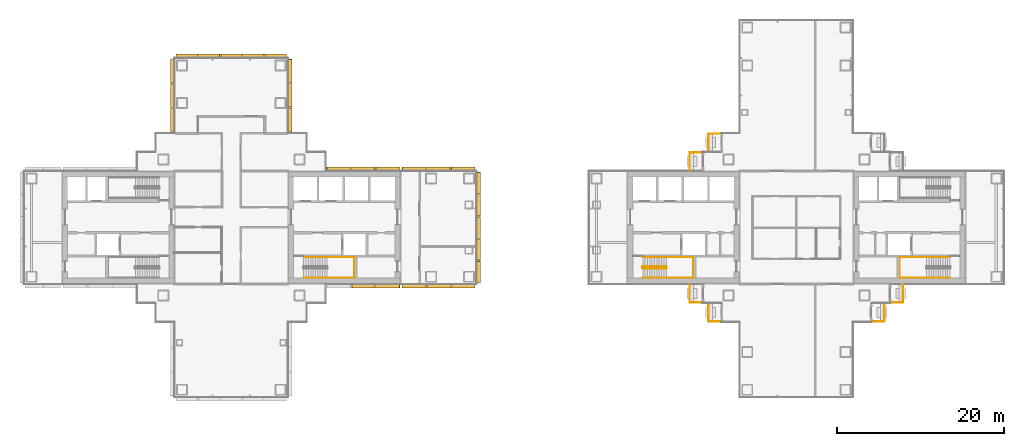
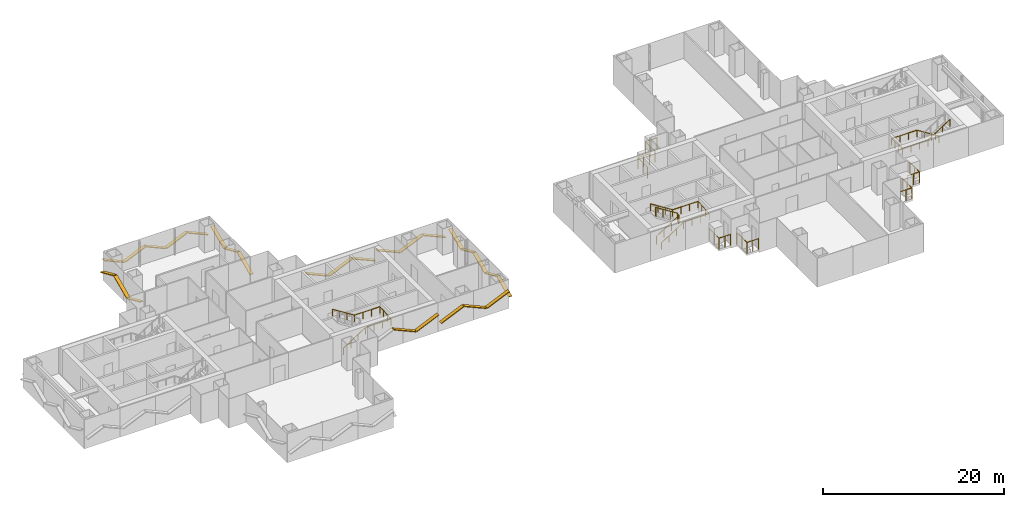
# One storey, part 17 of 19: 27 shading devices, 10 railings.
"""IFC4 building model written with IfcOpenShell, lengths in metres."""

from ifc_helpers import new_model, si_unit, direction, frame, origin, origin_2d, place, context, subcontext, project, spatial, rectangle, circle, extrude, material, material_profile, profile_set, type_object, element, save


model = new_model("IFC4")

# Units and contexts
model_context = context("Model", 3, precision=1e-05, world=origin(), true_north=direction((0.0, 1.0)))
body_context = subcontext(model_context, "Body", "Model", "MODEL_VIEW")
ifc_project = project(units=[si_unit("LENGTHUNIT", "METRE"), si_unit("AREAUNIT", "SQUARE_METRE"), si_unit("VOLUMEUNIT", "CUBIC_METRE"), si_unit("PLANEANGLEUNIT", "RADIAN"), si_unit("MASSUNIT", "GRAM", prefix="KILO")], contexts=[model_context])

# Site, building, storey
site_placement = place(None, origin())
site = spatial("IfcSite", under=ifc_project, at=site_placement, CompositionType="ELEMENT")
building_placement = place(site_placement, origin())
building = spatial("IfcBuilding", under=site, at=building_placement, Name="Shamsa Quay Exchange Towers", CompositionType="ELEMENT")
storey_placement = place(building_placement, frame((0.0, 0.0, 97.5)))
storey = spatial("IfcBuildingStorey", under=building, at=storey_placement, Name="L22", CompositionType="ELEMENT", Elevation=97.5)

# Railings
ifc_material_1 = material(Name="Steel S355, black powder-coated", Category="steel")
railing_type_1 = type_object("IfcRailingType", Name="BALCONY GUARD 1500", PredefinedType="GUARDRAIL", material=ifc_material_1)
for number, where, name in (
    (1, (24.72900390625, 11.199951171875, 0.0), "Balcony guard T2-PKEN L22"),
    (2, (22.47900390625, 8.949951171875, 0.0), "Balcony guard T2-PKEN L22"),
):
    element("IfcRailing", number, at=place(storey_placement, frame(where)), inside=storey, type_object=railing_type_1, Name=name, PredefinedType="GUARDRAIL", context=body_context, shape_type="SweptSolid", body=[
        extrude(circle(Radius=0.02392578125, at=origin_2d()), frame((0.0, 0.0, 1.47607421875), z_axis=(-1.0, 0.0, 0.0), x_axis=(0.0, -1.0, 0.0)), (0.0, 0.0, 1.0), 1.47900390625),
        extrude(circle(Radius=0.02392578125, at=origin_2d()), frame((-1.47900390625, 0.0, 1.47607421875), z_axis=(0.0, -1.0, 0.0), x_axis=(1.0, 0.0, 0.0)), (0.0, 0.0, 1.0), 2.161865234375),
        extrude(circle(Radius=0.02099609375, at=origin_2d()), origin(), (0.0, 0.0, 1.0), 1.451904296875),
        extrude(circle(Radius=0.02099609375, at=origin_2d()), frame((-0.739501953125, 0.0, 0.0)), (0.0, 0.0, 1.0), 1.451904296875),
        extrude(circle(Radius=0.02099609375, at=origin_2d()), frame((-1.47900390625, 0.0, 0.0)), (0.0, 0.0, 1.0), 1.451904296875),
        extrude(circle(Radius=0.02099609375, at=origin_2d()), frame((-1.47900390625, -1.0810546875, 0.0)), (0.0, 0.0, 1.0), 1.451904296875),
        extrude(circle(Radius=0.02099609375, at=origin_2d()), frame((-1.47900390625, -2.161865234375, 0.0)), (0.0, 0.0, 1.0), 1.451904296875),
    ])
for number, where, name in (
    (3, (21.0, -6.7880859375, 0.0), "Balcony guard T2-PKWN L22"),
    (4, (23.25, -9.0380859375, 0.0), "Balcony guard T2-PKWN L22"),
):
    element("IfcRailing", number, at=place(storey_placement, frame(where)), inside=storey, type_object=railing_type_1, Name=name, PredefinedType="GUARDRAIL", context=body_context, shape_type="SweptSolid", body=[
        extrude(circle(Radius=0.02392578125, at=origin_2d()), frame((0.0, 0.0, 1.47607421875), z_axis=(0.0, -1.0, 0.0), x_axis=(1.0, 0.0, 0.0)), (0.0, 0.0, 1.0), 2.161865234375),
        extrude(circle(Radius=0.02392578125, at=origin_2d()), frame((0.0, -2.161865234375, 1.47607421875), z_axis=(1.0, 0.0, 0.0), x_axis=(0.0, 1.0, 0.0)), (0.0, 0.0, 1.0), 1.47900390625),
        extrude(circle(Radius=0.02099609375, at=origin_2d()), origin(), (0.0, 0.0, 1.0), 1.451904296875),
        extrude(circle(Radius=0.02099609375, at=origin_2d()), frame((0.0, -1.0810546875, 0.0)), (0.0, 0.0, 1.0), 1.451904296875),
        extrude(circle(Radius=0.02099609375, at=origin_2d()), frame((0.0, -2.161865234375, 0.0)), (0.0, 0.0, 1.0), 1.451904296875),
        extrude(circle(Radius=0.02099609375, at=origin_2d()), frame((0.739501953125, -2.161865234375, 0.0)), (0.0, 0.0, 1.0), 1.451904296875),
        extrude(circle(Radius=0.02099609375, at=origin_2d()), frame((1.47900390625, -2.161865234375, 0.0)), (0.0, 0.0, 1.0), 1.451904296875),
    ])
for number, where, name in (
    (5, (42.77099609375, -11.199951171875, 0.0), "Balcony guard T2-PKWS L22"),
    (6, (45.02099609375, -8.949951171875, 0.0), "Balcony guard T2-PKWS L22"),
):
    element("IfcRailing", number, at=place(storey_placement, frame(where)), inside=storey, type_object=railing_type_1, Name=name, PredefinedType="GUARDRAIL", context=body_context, shape_type="SweptSolid", body=[
        extrude(circle(Radius=0.02392578125, at=origin_2d()), frame((0.0, 0.0, 1.47607421875), z_axis=(1.0, 0.0, 0.0), x_axis=(0.0, 1.0, 0.0)), (0.0, 0.0, 1.0), 1.47900390625),
        extrude(circle(Radius=0.02392578125, at=origin_2d()), frame((1.47900390625, 0.0, 1.47607421875), z_axis=(0.0, 1.0, 0.0), x_axis=(-1.0, 0.0, 0.0)), (0.0, 0.0, 1.0), 2.161865234375),
        extrude(circle(Radius=0.02099609375, at=origin_2d()), origin(), (0.0, 0.0, 1.0), 1.451904296875),
        extrude(circle(Radius=0.02099609375, at=origin_2d()), frame((0.739501953125, 0.0, 0.0)), (0.0, 0.0, 1.0), 1.451904296875),
        extrude(circle(Radius=0.02099609375, at=origin_2d()), frame((1.47900390625, 0.0, 0.0)), (0.0, 0.0, 1.0), 1.451904296875),
        extrude(circle(Radius=0.02099609375, at=origin_2d()), frame((1.47900390625, 1.0810546875, 0.0)), (0.0, 0.0, 1.0), 1.451904296875),
        extrude(circle(Radius=0.02099609375, at=origin_2d()), frame((1.47900390625, 2.161865234375, 0.0)), (0.0, 0.0, 1.0), 1.451904296875),
    ])

# Shading devices
ifc_material_2 = material(Name="Aluminium EN AW-6063 T6, black anodised", Category="aluminium")
ifc_material_profile = material_profile(ifc_material_2, rectangle(XDim=0.449951171875, YDim=0.10009765625, at=origin_2d()), Name="FIN450x100")
ifc_profile_set = profile_set([ifc_material_profile], Name="Aluminium EN AW-6063 T6, black anodised")
shading_device_type = type_object("IfcShadingDeviceType", Name="FIN 450x100 BLACK ALUMINIUM", PredefinedType="USERDEFINED", material=ifc_profile_set)
shading_device_1_placement = place(storey_placement, frame((-19.374755859375, -7.01904296875, 2.220458984375), z_axis=(0.913550687431, 0.0, -0.406724896576), x_axis=(0.0, 1.0, 0.0)))
element("IfcShadingDevice", 7, at=shading_device_1_placement, inside=storey, type_object=shading_device_type, Name="FIN T1 chevron rib", ObjectType="FIN", PredefinedType="USERDEFINED", context=body_context, shape_type="SweptSolid", body=[
    extrude(rectangle(XDim=0.449951171875, YDim=0.10009765625, at=origin_2d()), origin(), (0.0, 0.0, 1.0), 3.051025390625),
])
shading_device_2_placement = place(storey_placement, frame((-16.4873046875, -7.01904296875, 0.96826171875), z_axis=(0.913529328323, 0.0, 0.406772868187), x_axis=(0.0, 1.0, 0.0)))
element("IfcShadingDevice", 8, at=shading_device_2_placement, inside=storey, type_object=shading_device_type, Name="FIN T1 chevron rib", ObjectType="FIN", PredefinedType="USERDEFINED", context=body_context, shape_type="SweptSolid", body=[
    extrude(rectangle(XDim=0.449951171875, YDim=0.10009765625, at=origin_2d()), origin(), (0.0, 0.0, 1.0), 3.10595703125),
])
shading_device_3_placement = place(storey_placement, frame((-13.35009765625, -7.014892578125, 0.965576171875), z_axis=(0.913562893981, 0.0, 0.406697478158), x_axis=(0.0, 1.0, 0.0)))
element("IfcShadingDevice", 9, at=shading_device_3_placement, inside=storey, type_object=shading_device_type, Name="FIN T1 chevron rib", ObjectType="FIN", PredefinedType="USERDEFINED", context=body_context, shape_type="SweptSolid", body=[
    extrude(rectangle(XDim=0.449951171875, YDim=0.10009765625, at=origin_2d()), origin(), (0.0, 0.0, 1.0), 3.119873046875),
])
shading_device_4_placement = place(storey_placement, frame((-10.39990234375, -7.014892578125, 2.223388671875), z_axis=(0.913512380128, 0.0, -0.406810928262), x_axis=(0.0, 1.0, 0.0)))
element("IfcShadingDevice", 10, at=shading_device_4_placement, inside=storey, type_object=shading_device_type, Name="FIN T1 chevron rib", ObjectType="FIN", PredefinedType="USERDEFINED", context=body_context, shape_type="SweptSolid", body=[
    extrude(rectangle(XDim=0.449951171875, YDim=0.10009765625, at=origin_2d()), origin(), (0.0, 0.0, 1.0), 3.06494140625),
])
shading_device_5_placement = place(storey_placement, frame((-7.5, -7.014892578125, 0.965576171875), z_axis=(0.913562893981, 0.0, 0.406697478158), x_axis=(0.0, 1.0, 0.0)))
element("IfcShadingDevice", 11, at=shading_device_5_placement, inside=storey, type_object=shading_device_type, Name="FIN T1 chevron rib", ObjectType="FIN", PredefinedType="USERDEFINED", context=body_context, shape_type="SweptSolid", body=[
    extrude(rectangle(XDim=0.449951171875, YDim=0.10009765625, at=origin_2d()), origin(), (0.0, 0.0, 1.0), 3.119873046875),
])
shading_device_6_placement = place(storey_placement, frame((-4.235107421875, -6.60009765625, 1.0234375), z_axis=(0.0, 0.91355925163, 0.406705659859), x_axis=(-1.0, 0.0, 0.0)))
element("IfcShadingDevice", 12, at=shading_device_6_placement, inside=storey, type_object=shading_device_type, Name="FIN T1 chevron rib", ObjectType="FIN", PredefinedType="USERDEFINED", context=body_context, shape_type="SweptSolid", body=[
    extrude(rectangle(XDim=0.449951171875, YDim=0.10009765625, at=origin_2d()), origin(), (0.0, 0.0, 1.0), 2.835205078125),
])
shading_device_7_placement = place(storey_placement, frame((-4.235107421875, -3.909912109375, 2.16552734375), z_axis=(0.0, 0.913536125794, -0.406757602103), x_axis=(-1.0, 0.0, 0.0)))
element("IfcShadingDevice", 13, at=shading_device_7_placement, inside=storey, type_object=shading_device_type, Name="FIN T1 chevron rib", ObjectType="FIN", PredefinedType="USERDEFINED", context=body_context, shape_type="SweptSolid", body=[
    extrude(rectangle(XDim=0.449951171875, YDim=0.10009765625, at=origin_2d()), origin(), (0.0, 0.0, 1.0), 2.7802734375),
])
shading_device_8_placement = place(storey_placement, frame((-4.235107421875, -1.27001953125, 1.03466796875), z_axis=(0.0, 0.913550653139, 0.4067249736), x_axis=(-1.0, 0.0, 0.0)))
element("IfcShadingDevice", 14, at=shading_device_8_placement, inside=storey, type_object=shading_device_type, Name="FIN T1 chevron rib", ObjectType="FIN", PredefinedType="USERDEFINED", context=body_context, shape_type="SweptSolid", body=[
    extrude(rectangle(XDim=0.449951171875, YDim=0.10009765625, at=origin_2d()), origin(), (0.0, 0.0, 1.0), 2.780517578125),
])
shading_device_9_placement = place(storey_placement, frame((-4.235107421875, 1.3701171875, 2.16552734375), z_axis=(0.0, 0.913536125794, -0.406757602103), x_axis=(-1.0, 0.0, 0.0)))
element("IfcShadingDevice", 15, at=shading_device_9_placement, inside=storey, type_object=shading_device_type, Name="FIN T1 chevron rib", ObjectType="FIN", PredefinedType="USERDEFINED", context=body_context, shape_type="SweptSolid", body=[
    extrude(rectangle(XDim=0.449951171875, YDim=0.10009765625, at=origin_2d()), origin(), (0.0, 0.0, 1.0), 2.7802734375),
])
shading_device_10_placement = place(storey_placement, frame((-4.235107421875, 4.010009765625, 1.0234375), z_axis=(0.0, 0.91355925163, 0.406705659859), x_axis=(-1.0, 0.0, 0.0)))
element("IfcShadingDevice", 16, at=shading_device_10_placement, inside=storey, type_object=shading_device_type, Name="FIN T1 chevron rib", ObjectType="FIN", PredefinedType="USERDEFINED", context=body_context, shape_type="SweptSolid", body=[
    extrude(rectangle(XDim=0.449951171875, YDim=0.10009765625, at=origin_2d()), origin(), (0.0, 0.0, 1.0), 2.835205078125),
])
shading_device_11_placement = place(storey_placement, frame((-4.64990234375, 7.014892578125, 0.965576171875), z_axis=(-0.913562893981, 0.0, 0.406697478158), x_axis=(0.0, -1.0, 0.0)))
element("IfcShadingDevice", 17, at=shading_device_11_placement, inside=storey, type_object=shading_device_type, Name="FIN T1 chevron rib", ObjectType="FIN", PredefinedType="USERDEFINED", context=body_context, shape_type="SweptSolid", body=[
    extrude(rectangle(XDim=0.449951171875, YDim=0.10009765625, at=origin_2d()), origin(), (0.0, 0.0, 1.0), 3.119873046875),
])
shading_device_12_placement = place(storey_placement, frame((-7.60009765625, 7.014892578125, 2.223388671875), z_axis=(-0.913512380128, 0.0, -0.406810928262), x_axis=(0.0, -1.0, 0.0)))
element("IfcShadingDevice", 18, at=shading_device_12_placement, inside=storey, type_object=shading_device_type, Name="FIN T1 chevron rib", ObjectType="FIN", PredefinedType="USERDEFINED", context=body_context, shape_type="SweptSolid", body=[
    extrude(rectangle(XDim=0.449951171875, YDim=0.10009765625, at=origin_2d()), origin(), (0.0, 0.0, 1.0), 3.06494140625),
])
for number, where, z_axis, x_axis, name in (
    (19, (-10.5, 7.014892578125, 0.965576171875), (-0.913562893981, 0.0, 0.406697478158), (0.0, -1.0, 0.0), "FIN T1 chevron rib"),
    (20, (-13.64990234375, 7.01904296875, 0.965576171875), (-0.913562893981, 0.0, 0.406697478158), (0.0, -1.0, 0.0), "FIN T1 chevron rib"),
):
    element("IfcShadingDevice", number, at=place(storey_placement, frame(where, z_axis=z_axis, x_axis=x_axis)), inside=storey, type_object=shading_device_type, Name=name, ObjectType="FIN", PredefinedType="USERDEFINED", context=body_context, shape_type="SweptSolid", body=[
        extrude(rectangle(XDim=0.449951171875, YDim=0.10009765625, at=origin_2d()), origin(), (0.0, 0.0, 1.0), 3.119873046875),
    ])
shading_device_13_placement = place(storey_placement, frame((-16.60009765625, 7.01904296875, 2.223388671875), z_axis=(-0.913512380128, 0.0, -0.406810928262), x_axis=(0.0, -1.0, 0.0)))
element("IfcShadingDevice", 21, at=shading_device_13_placement, inside=storey, type_object=shading_device_type, Name="FIN T1 chevron rib", ObjectType="FIN", PredefinedType="USERDEFINED", context=body_context, shape_type="SweptSolid", body=[
    extrude(rectangle(XDim=0.449951171875, YDim=0.10009765625, at=origin_2d()), origin(), (0.0, 0.0, 1.0), 3.06494140625),
])
shading_device_14_placement = place(storey_placement, frame((-19.5, 7.01904296875, 0.965576171875), z_axis=(-0.913562893981, 0.0, 0.406697478158), x_axis=(0.0, -1.0, 0.0)))
element("IfcShadingDevice", 22, at=shading_device_14_placement, inside=storey, type_object=shading_device_type, Name="FIN T1 chevron rib", ObjectType="FIN", PredefinedType="USERDEFINED", context=body_context, shape_type="SweptSolid", body=[
    extrude(rectangle(XDim=0.449951171875, YDim=0.10009765625, at=origin_2d()), origin(), (0.0, 0.0, 1.0), 3.119873046875),
])
shading_device_15_placement = place(storey_placement, frame((-26.735107421875, 11.43798828125, 0.96826171875), z_axis=(0.0, 0.913529328323, 0.406772868187), x_axis=(-1.0, 0.0, 0.0)))
element("IfcShadingDevice", 23, at=shading_device_15_placement, inside=storey, type_object=shading_device_type, Name="FIN T1 chevron rib", ObjectType="FIN", PredefinedType="USERDEFINED", context=body_context, shape_type="SweptSolid", body=[
    extrude(rectangle(XDim=0.449951171875, YDim=0.10009765625, at=origin_2d()), origin(), (0.0, 0.0, 1.0), 3.10595703125),
])
shading_device_16_placement = place(storey_placement, frame((-26.735107421875, 14.375244140625, 2.220458984375), z_axis=(0.0, 0.913550687431, -0.406724896576), x_axis=(-1.0, 0.0, 0.0)))
element("IfcShadingDevice", 24, at=shading_device_16_placement, inside=storey, type_object=shading_device_type, Name="FIN T1 chevron rib", ObjectType="FIN", PredefinedType="USERDEFINED", context=body_context, shape_type="SweptSolid", body=[
    extrude(rectangle(XDim=0.449951171875, YDim=0.10009765625, at=origin_2d()), origin(), (0.0, 0.0, 1.0), 3.051025390625),
])
shading_device_17_placement = place(storey_placement, frame((-26.735107421875, 17.2626953125, 0.96826171875), z_axis=(0.0, 0.913529328323, 0.406772868187), x_axis=(-1.0, 0.0, 0.0)))
element("IfcShadingDevice", 25, at=shading_device_17_placement, inside=storey, type_object=shading_device_type, Name="FIN T1 chevron rib", ObjectType="FIN", PredefinedType="USERDEFINED", context=body_context, shape_type="SweptSolid", body=[
    extrude(rectangle(XDim=0.449951171875, YDim=0.10009765625, at=origin_2d()), origin(), (0.0, 0.0, 1.0), 3.10595703125),
])
shading_device_18_placement = place(storey_placement, frame((-27.14990234375, 20.514892578125, 1.0234375), z_axis=(-0.91355925163, 0.0, 0.406705659859), x_axis=(0.0, -1.0, 0.0)))
element("IfcShadingDevice", 26, at=shading_device_18_placement, inside=storey, type_object=shading_device_type, Name="FIN T1 chevron rib", ObjectType="FIN", PredefinedType="USERDEFINED", context=body_context, shape_type="SweptSolid", body=[
    extrude(rectangle(XDim=0.449951171875, YDim=0.10009765625, at=origin_2d()), origin(), (0.0, 0.0, 1.0), 2.835205078125),
])
shading_device_19_placement = place(storey_placement, frame((-29.840087890625, 20.514892578125, 2.16552734375), z_axis=(-0.913536125794, 0.0, -0.406757602103), x_axis=(0.0, -1.0, 0.0)))
element("IfcShadingDevice", 27, at=shading_device_19_placement, inside=storey, type_object=shading_device_type, Name="FIN T1 chevron rib", ObjectType="FIN", PredefinedType="USERDEFINED", context=body_context, shape_type="SweptSolid", body=[
    extrude(rectangle(XDim=0.449951171875, YDim=0.10009765625, at=origin_2d()), origin(), (0.0, 0.0, 1.0), 2.7802734375),
])
shading_device_20_placement = place(storey_placement, frame((-32.47998046875, 20.514892578125, 1.03466796875), z_axis=(-0.913550653139, 0.0, 0.4067249736), x_axis=(0.0, -1.0, 0.0)))
element("IfcShadingDevice", 28, at=shading_device_20_placement, inside=storey, type_object=shading_device_type, Name="FIN T1 chevron rib", ObjectType="FIN", PredefinedType="USERDEFINED", context=body_context, shape_type="SweptSolid", body=[
    extrude(rectangle(XDim=0.449951171875, YDim=0.10009765625, at=origin_2d()), origin(), (0.0, 0.0, 1.0), 2.780517578125),
])
shading_device_21_placement = place(storey_placement, frame((-35.1201171875, 20.514892578125, 2.16552734375), z_axis=(-0.913536125794, 0.0, -0.406757602103), x_axis=(0.0, -1.0, 0.0)))
element("IfcShadingDevice", 29, at=shading_device_21_placement, inside=storey, type_object=shading_device_type, Name="FIN T1 chevron rib", ObjectType="FIN", PredefinedType="USERDEFINED", context=body_context, shape_type="SweptSolid", body=[
    extrude(rectangle(XDim=0.449951171875, YDim=0.10009765625, at=origin_2d()), origin(), (0.0, 0.0, 1.0), 2.7802734375),
])
shading_device_22_placement = place(storey_placement, frame((-37.760009765625, 20.514892578125, 1.0234375), z_axis=(-0.91355925163, 0.0, 0.406705659859), x_axis=(0.0, -1.0, 0.0)))
element("IfcShadingDevice", 30, at=shading_device_22_placement, inside=storey, type_object=shading_device_type, Name="FIN T1 chevron rib", ObjectType="FIN", PredefinedType="USERDEFINED", context=body_context, shape_type="SweptSolid", body=[
    extrude(rectangle(XDim=0.449951171875, YDim=0.10009765625, at=origin_2d()), origin(), (0.0, 0.0, 1.0), 2.835205078125),
])
shading_device_23_placement = place(storey_placement, frame((-40.764892578125, 20.10009765625, 0.965576171875), z_axis=(0.0, -0.913562893981, 0.406697478158), x_axis=(1.0, 0.0, 0.0)))
element("IfcShadingDevice", 31, at=shading_device_23_placement, inside=storey, type_object=shading_device_type, Name="FIN T1 chevron rib", ObjectType="FIN", PredefinedType="USERDEFINED", context=body_context, shape_type="SweptSolid", body=[
    extrude(rectangle(XDim=0.449951171875, YDim=0.10009765625, at=origin_2d()), origin(), (0.0, 0.0, 1.0), 3.119873046875),
])
shading_device_24_placement = place(storey_placement, frame((-40.764892578125, 17.14990234375, 2.223388671875), z_axis=(0.0, -0.913512380128, -0.406810928262), x_axis=(1.0, 0.0, 0.0)))
element("IfcShadingDevice", 32, at=shading_device_24_placement, inside=storey, type_object=shading_device_type, Name="FIN T1 chevron rib", ObjectType="FIN", PredefinedType="USERDEFINED", context=body_context, shape_type="SweptSolid", body=[
    extrude(rectangle(XDim=0.449951171875, YDim=0.10009765625, at=origin_2d()), origin(), (0.0, 0.0, 1.0), 3.06494140625),
])
shading_device_25_placement = place(storey_placement, frame((-40.764892578125, 14.25, 0.965576171875), z_axis=(0.0, -0.913562893981, 0.406697478158), x_axis=(1.0, 0.0, 0.0)))
element("IfcShadingDevice", 33, at=shading_device_25_placement, inside=storey, type_object=shading_device_type, Name="FIN T1 chevron rib", ObjectType="FIN", PredefinedType="USERDEFINED", context=body_context, shape_type="SweptSolid", body=[
    extrude(rectangle(XDim=0.449951171875, YDim=0.10009765625, at=origin_2d()), origin(), (0.0, 0.0, 1.0), 3.119873046875),
])

# Railings
ifc_material_3 = material(Name="Stainless steel", Category="steel")
railing_type_2 = type_object("IfcRailingType", Name="STAIR GUARD 1100", PredefinedType="GUARDRAIL", material=ifc_material_3)
railing_1_placement = place(storey_placement, frame((15.39990234375, -4.89990234375, 0.17724609375)))
element("IfcRailing", 34, at=railing_1_placement, inside=storey, type_object=railing_type_2, Name="L22 ST4 stair guard 1", PredefinedType="GUARDRAIL", context=body_context, shape_type="SweptSolid", body=[
    extrude(circle(Radius=0.02392578125, at=origin_2d()), frame((0.0, 0.0, 1.076171875), z_axis=(0.844908973607, 0.0, 0.534910110503), x_axis=(0.0, 1.0, 0.0)), (0.0, 0.0, 1.0), 3.31396484375),
    extrude(circle(Radius=0.02392578125, at=origin_2d()), frame((2.800048828125, 0.0, 2.8486328125), z_axis=(0.708833529934, 0.705375805398, 0.0), x_axis=(-0.705375805398, 0.708833529934, 0.0)), (0.0, 0.0, 1.0), 0.070556640625),
    extrude(circle(Radius=0.02392578125, at=origin_2d()), frame((2.85009765625, 0.0498046875, 2.8486328125), z_axis=(0.0, 1.0, 0.0), x_axis=(-1.0, 0.0, 0.0)), (0.0, 0.0, 1.0), 0.150146484375),
    extrude(circle(Radius=0.02392578125, at=origin_2d()), frame((2.85009765625, 0.199951171875, 2.8486328125), z_axis=(-0.262233686654, 0.262233686654, 0.928691007369), x_axis=(-0.707106781187, -0.707106781187, 0.0)), (0.0, 0.0, 1.0), 0.19091796875),
    extrude(circle(Radius=0.02392578125, at=origin_2d()), frame((2.800048828125, 0.25, 3.02587890625), z_axis=(-0.844908973607, 0.0, 0.534910110503), x_axis=(0.0, -1.0, 0.0)), (0.0, 0.0, 1.0), 3.31396484375),
    extrude(circle(Radius=0.02392578125, at=origin_2d()), frame((0.0, 0.25, 4.798828125), z_axis=(-0.24142163986, -0.970420317083, 0.0), x_axis=(0.970420317083, -0.24142163986, 0.0)), (0.0, 0.0, 1.0), 0.206298828125),
    extrude(circle(Radius=0.02392578125, at=origin_2d()), frame((-0.0498046875, 0.0498046875, 4.798828125), z_axis=(0.0, 1.0, 0.0), x_axis=(-1.0, 0.0, 0.0)), (0.0, 0.0, 1.0), 0.150146484375),
    extrude(circle(Radius=0.02099609375, at=origin_2d()), origin(), (0.0, 0.0, 1.0), 1.052001953125),
    extrude(circle(Radius=0.02099609375, at=origin_2d()), frame((0.933349609375, 0.0, 0.5908203125)), (0.0, 0.0, 1.0), 1.052001953125),
    extrude(circle(Radius=0.02099609375, at=origin_2d()), frame((1.86669921875, 0.0, 1.181884765625)), (0.0, 0.0, 1.0), 1.052001953125),
    extrude(circle(Radius=0.02099609375, at=origin_2d()), frame((2.800048828125, 0.0, 1.772705078125)), (0.0, 0.0, 1.0), 1.052001953125),
    extrude(circle(Radius=0.02099609375, at=origin_2d()), frame((2.85009765625, 0.0498046875, 1.772705078125)), (0.0, 0.0, 1.0), 1.052001953125),
    extrude(circle(Radius=0.02099609375, at=origin_2d()), frame((2.85009765625, 0.199951171875, 1.772705078125)), (0.0, 0.0, 1.0), 1.052001953125),
    extrude(circle(Radius=0.02099609375, at=origin_2d()), frame((2.800048828125, 0.25, 1.949951171875)), (0.0, 0.0, 1.0), 1.052001953125),
    extrude(circle(Radius=0.02099609375, at=origin_2d()), frame((1.86669921875, 0.25, 2.540771484375)), (0.0, 0.0, 1.0), 1.052001953125),
    extrude(circle(Radius=0.02099609375, at=origin_2d()), frame((0.933349609375, 0.25, 3.1318359375)), (0.0, 0.0, 1.0), 1.052001953125),
    extrude(circle(Radius=0.02099609375, at=origin_2d()), frame((0.0, 0.25, 3.72265625)), (0.0, 0.0, 1.0), 1.052001953125),
    extrude(circle(Radius=0.02099609375, at=origin_2d()), frame((-0.0498046875, 0.0498046875, 3.72265625)), (0.0, 0.0, 1.0), 1.052001953125),
    extrude(circle(Radius=0.02099609375, at=origin_2d()), frame((-0.0498046875, 0.199951171875, 3.72265625)), (0.0, 0.0, 1.0), 1.052001953125),
])
railing_type_3 = type_object("IfcRailingType", Name="STAIR HANDRAIL 900", PredefinedType="HANDRAIL", material=ifc_material_3)
railing_2_placement = place(storey_placement, frame((-25.10009765625, -6.0, 0.17724609375)))
element("IfcRailing", 35, at=railing_2_placement, inside=storey, type_object=railing_type_3, Name="L22 ST1 stair handrail 1", PredefinedType="HANDRAIL", context=body_context, shape_type="SweptSolid", body=[
    extrude(circle(Radius=0.02392578125, at=origin_2d()), frame((0.0, 0.0, 0.8759765625), z_axis=(0.844908973607, 0.0, 0.534910110503), x_axis=(0.0, 1.0, 0.0)), (0.0, 0.0, 1.0), 3.31396484375),
    extrude(circle(Radius=0.02392578125, at=origin_2d()), frame((2.800048828125, 0.0, 2.6484375), z_axis=(1.0, 0.0, 0.0), x_axis=(0.0, 1.0, 0.0)), (0.0, 0.0, 1.0), 3.25),
    extrude(circle(Radius=0.02392578125, at=origin_2d()), frame((6.050048828125, 0.0, 2.6484375), z_axis=(0.0, 0.997393199914, 0.07215819264), x_axis=(-1.0, 0.0, 0.0)), (0.0, 0.0, 1.0), 2.456298828125),
    extrude(circle(Radius=0.02392578125, at=origin_2d()), frame((6.050048828125, 2.449951171875, 2.82568359375), z_axis=(-1.0, 0.0, 0.0), x_axis=(0.0, -1.0, 0.0)), (0.0, 0.0, 1.0), 3.25),
    extrude(circle(Radius=0.02392578125, at=origin_2d()), frame((2.800048828125, 2.449951171875, 2.82568359375), z_axis=(-0.844908973607, 0.0, 0.534910110503), x_axis=(0.0, -1.0, 0.0)), (0.0, 0.0, 1.0), 3.31396484375),
    extrude(circle(Radius=0.02099609375, at=origin_2d()), origin(), (0.0, 0.0, 1.0), 0.851806640625),
    extrude(circle(Radius=0.02099609375, at=origin_2d()), frame((0.933349609375, 0.0, 0.5908203125)), (0.0, 0.0, 1.0), 0.851806640625),
    extrude(circle(Radius=0.02099609375, at=origin_2d()), frame((1.86669921875, 0.0, 1.181884765625)), (0.0, 0.0, 1.0), 0.851806640625),
    extrude(circle(Radius=0.02099609375, at=origin_2d()), frame((2.800048828125, 0.0, 1.772705078125)), (0.0, 0.0, 1.0), 0.851806640625),
    extrude(circle(Radius=0.02099609375, at=origin_2d()), frame((3.88330078125, 0.0, 1.772705078125)), (0.0, 0.0, 1.0), 0.851806640625),
    extrude(circle(Radius=0.02099609375, at=origin_2d()), frame((4.966796875, 0.0, 1.772705078125)), (0.0, 0.0, 1.0), 0.851806640625),
    extrude(circle(Radius=0.02099609375, at=origin_2d()), frame((6.050048828125, 0.0, 1.772705078125)), (0.0, 0.0, 1.0), 0.851806640625),
    extrude(circle(Radius=0.02099609375, at=origin_2d()), frame((6.050048828125, 0.816650390625, 1.831787109375)), (0.0, 0.0, 1.0), 0.851806640625),
    extrude(circle(Radius=0.02099609375, at=origin_2d()), frame((6.050048828125, 1.63330078125, 1.890869140625)), (0.0, 0.0, 1.0), 0.851806640625),
    extrude(circle(Radius=0.02099609375, at=origin_2d()), frame((6.050048828125, 2.449951171875, 1.949951171875)), (0.0, 0.0, 1.0), 0.851806640625),
    extrude(circle(Radius=0.02099609375, at=origin_2d()), frame((4.966796875, 2.449951171875, 1.949951171875)), (0.0, 0.0, 1.0), 0.851806640625),
    extrude(circle(Radius=0.02099609375, at=origin_2d()), frame((3.88330078125, 2.449951171875, 1.949951171875)), (0.0, 0.0, 1.0), 0.851806640625),
    extrude(circle(Radius=0.02099609375, at=origin_2d()), frame((2.800048828125, 2.449951171875, 1.949951171875)), (0.0, 0.0, 1.0), 0.851806640625),
    extrude(circle(Radius=0.02099609375, at=origin_2d()), frame((1.86669921875, 2.449951171875, 2.540771484375)), (0.0, 0.0, 1.0), 0.851806640625),
    extrude(circle(Radius=0.02099609375, at=origin_2d()), frame((0.933349609375, 2.449951171875, 3.1318359375)), (0.0, 0.0, 1.0), 0.851806640625),
    extrude(circle(Radius=0.02099609375, at=origin_2d()), frame((0.0, 2.449951171875, 3.72265625)), (0.0, 0.0, 1.0), 0.851806640625),
])
railing_3_placement = place(storey_placement, frame((15.39990234375, -6.0, 0.17724609375)))
element("IfcRailing", 36, at=railing_3_placement, inside=storey, type_object=railing_type_3, Name="L22 ST4 stair handrail 1", PredefinedType="HANDRAIL", context=body_context, shape_type="SweptSolid", body=[
    extrude(circle(Radius=0.02392578125, at=origin_2d()), frame((0.0, 0.0, 0.8759765625), z_axis=(0.844908973607, 0.0, 0.534910110503), x_axis=(0.0, 1.0, 0.0)), (0.0, 0.0, 1.0), 3.31396484375),
    extrude(circle(Radius=0.02392578125, at=origin_2d()), frame((2.800048828125, 0.0, 2.6484375), z_axis=(1.0, 0.0, 0.0), x_axis=(0.0, 1.0, 0.0)), (0.0, 0.0, 1.0), 3.25),
    extrude(circle(Radius=0.02392578125, at=origin_2d()), frame((6.050048828125, 0.0, 2.6484375), z_axis=(0.0, 0.997393199914, 0.07215819264), x_axis=(-1.0, 0.0, 0.0)), (0.0, 0.0, 1.0), 2.456298828125),
    extrude(circle(Radius=0.02392578125, at=origin_2d()), frame((6.050048828125, 2.449951171875, 2.82568359375), z_axis=(-1.0, 0.0, 0.0), x_axis=(0.0, -1.0, 0.0)), (0.0, 0.0, 1.0), 3.25),
    extrude(circle(Radius=0.02392578125, at=origin_2d()), frame((2.800048828125, 2.449951171875, 2.82568359375), z_axis=(-0.844908973607, 0.0, 0.534910110503), x_axis=(0.0, -1.0, 0.0)), (0.0, 0.0, 1.0), 3.31396484375),
    extrude(circle(Radius=0.02099609375, at=origin_2d()), origin(), (0.0, 0.0, 1.0), 0.851806640625),
    extrude(circle(Radius=0.02099609375, at=origin_2d()), frame((0.933349609375, 0.0, 0.5908203125)), (0.0, 0.0, 1.0), 0.851806640625),
    extrude(circle(Radius=0.02099609375, at=origin_2d()), frame((1.86669921875, 0.0, 1.181884765625)), (0.0, 0.0, 1.0), 0.851806640625),
    extrude(circle(Radius=0.02099609375, at=origin_2d()), frame((2.800048828125, 0.0, 1.772705078125)), (0.0, 0.0, 1.0), 0.851806640625),
    extrude(circle(Radius=0.02099609375, at=origin_2d()), frame((3.88330078125, 0.0, 1.772705078125)), (0.0, 0.0, 1.0), 0.851806640625),
    extrude(circle(Radius=0.02099609375, at=origin_2d()), frame((4.966796875, 0.0, 1.772705078125)), (0.0, 0.0, 1.0), 0.851806640625),
    extrude(circle(Radius=0.02099609375, at=origin_2d()), frame((6.050048828125, 0.0, 1.772705078125)), (0.0, 0.0, 1.0), 0.851806640625),
    extrude(circle(Radius=0.02099609375, at=origin_2d()), frame((6.050048828125, 0.816650390625, 1.831787109375)), (0.0, 0.0, 1.0), 0.851806640625),
    extrude(circle(Radius=0.02099609375, at=origin_2d()), frame((6.050048828125, 1.63330078125, 1.890869140625)), (0.0, 0.0, 1.0), 0.851806640625),
    extrude(circle(Radius=0.02099609375, at=origin_2d()), frame((6.050048828125, 2.449951171875, 1.949951171875)), (0.0, 0.0, 1.0), 0.851806640625),
    extrude(circle(Radius=0.02099609375, at=origin_2d()), frame((4.966796875, 2.449951171875, 1.949951171875)), (0.0, 0.0, 1.0), 0.851806640625),
    extrude(circle(Radius=0.02099609375, at=origin_2d()), frame((3.88330078125, 2.449951171875, 1.949951171875)), (0.0, 0.0, 1.0), 0.851806640625),
    extrude(circle(Radius=0.02099609375, at=origin_2d()), frame((2.800048828125, 2.449951171875, 1.949951171875)), (0.0, 0.0, 1.0), 0.851806640625),
    extrude(circle(Radius=0.02099609375, at=origin_2d()), frame((1.86669921875, 2.449951171875, 2.540771484375)), (0.0, 0.0, 1.0), 0.851806640625),
    extrude(circle(Radius=0.02099609375, at=origin_2d()), frame((0.933349609375, 2.449951171875, 3.1318359375)), (0.0, 0.0, 1.0), 0.851806640625),
    extrude(circle(Radius=0.02099609375, at=origin_2d()), frame((0.0, 2.449951171875, 3.72265625)), (0.0, 0.0, 1.0), 0.851806640625),
])
railing_4_placement = place(storey_placement, frame((52.10009765625, -3.550048828125, 0.17724609375)))
element("IfcRailing", 37, at=railing_4_placement, inside=storey, type_object=railing_type_3, Name="L22 ST5 stair handrail 1", PredefinedType="HANDRAIL", context=body_context, shape_type="SweptSolid", body=[
    extrude(circle(Radius=0.02392578125, at=origin_2d()), frame((0.0, 0.0, 0.8759765625), z_axis=(-0.844908973607, 0.0, 0.534910110503), x_axis=(0.0, -1.0, 0.0)), (0.0, 0.0, 1.0), 3.31396484375),
    extrude(circle(Radius=0.02392578125, at=origin_2d()), frame((-2.800048828125, 0.0, 2.6484375), z_axis=(-1.0, 0.0, 0.0), x_axis=(0.0, -1.0, 0.0)), (0.0, 0.0, 1.0), 3.25),
    extrude(circle(Radius=0.02392578125, at=origin_2d()), frame((-6.050048828125, 0.0, 2.6484375), z_axis=(0.0, -0.997393199914, 0.07215819264), x_axis=(1.0, 0.0, 0.0)), (0.0, 0.0, 1.0), 2.456298828125),
    extrude(circle(Radius=0.02392578125, at=origin_2d()), frame((-6.050048828125, -2.449951171875, 2.82568359375), z_axis=(1.0, 0.0, 0.0), x_axis=(0.0, 1.0, 0.0)), (0.0, 0.0, 1.0), 3.25),
    extrude(circle(Radius=0.02392578125, at=origin_2d()), frame((-2.800048828125, -2.449951171875, 2.82568359375), z_axis=(0.844908973607, 0.0, 0.534910110503), x_axis=(0.0, 1.0, 0.0)), (0.0, 0.0, 1.0), 3.31396484375),
    extrude(circle(Radius=0.02099609375, at=origin_2d()), origin(), (0.0, 0.0, 1.0), 0.851806640625),
    extrude(circle(Radius=0.02099609375, at=origin_2d()), frame((-0.933349609375, 0.0, 0.5908203125)), (0.0, 0.0, 1.0), 0.851806640625),
    extrude(circle(Radius=0.02099609375, at=origin_2d()), frame((-1.86669921875, 0.0, 1.181884765625)), (0.0, 0.0, 1.0), 0.851806640625),
    extrude(circle(Radius=0.02099609375, at=origin_2d()), frame((-2.800048828125, 0.0, 1.772705078125)), (0.0, 0.0, 1.0), 0.851806640625),
    extrude(circle(Radius=0.02099609375, at=origin_2d()), frame((-3.88330078125, 0.0, 1.772705078125)), (0.0, 0.0, 1.0), 0.851806640625),
    extrude(circle(Radius=0.02099609375, at=origin_2d()), frame((-4.966796875, 0.0, 1.772705078125)), (0.0, 0.0, 1.0), 0.851806640625),
    extrude(circle(Radius=0.02099609375, at=origin_2d()), frame((-6.050048828125, 0.0, 1.772705078125)), (0.0, 0.0, 1.0), 0.851806640625),
    extrude(circle(Radius=0.02099609375, at=origin_2d()), frame((-6.050048828125, -0.816650390625, 1.831787109375)), (0.0, 0.0, 1.0), 0.851806640625),
    extrude(circle(Radius=0.02099609375, at=origin_2d()), frame((-6.050048828125, -1.63330078125, 1.890869140625)), (0.0, 0.0, 1.0), 0.851806640625),
    extrude(circle(Radius=0.02099609375, at=origin_2d()), frame((-6.050048828125, -2.449951171875, 1.949951171875)), (0.0, 0.0, 1.0), 0.851806640625),
    extrude(circle(Radius=0.02099609375, at=origin_2d()), frame((-4.966796875, -2.449951171875, 1.949951171875)), (0.0, 0.0, 1.0), 0.851806640625),
    extrude(circle(Radius=0.02099609375, at=origin_2d()), frame((-3.88330078125, -2.449951171875, 1.949951171875)), (0.0, 0.0, 1.0), 0.851806640625),
    extrude(circle(Radius=0.02099609375, at=origin_2d()), frame((-2.800048828125, -2.449951171875, 1.949951171875)), (0.0, 0.0, 1.0), 0.851806640625),
    extrude(circle(Radius=0.02099609375, at=origin_2d()), frame((-1.86669921875, -2.449951171875, 2.540771484375)), (0.0, 0.0, 1.0), 0.851806640625),
    extrude(circle(Radius=0.02099609375, at=origin_2d()), frame((-0.933349609375, -2.449951171875, 3.1318359375)), (0.0, 0.0, 1.0), 0.851806640625),
    extrude(circle(Radius=0.02099609375, at=origin_2d()), frame((0.0, -2.449951171875, 3.72265625)), (0.0, 0.0, 1.0), 0.851806640625),
])

save(model, "model.ifc")
